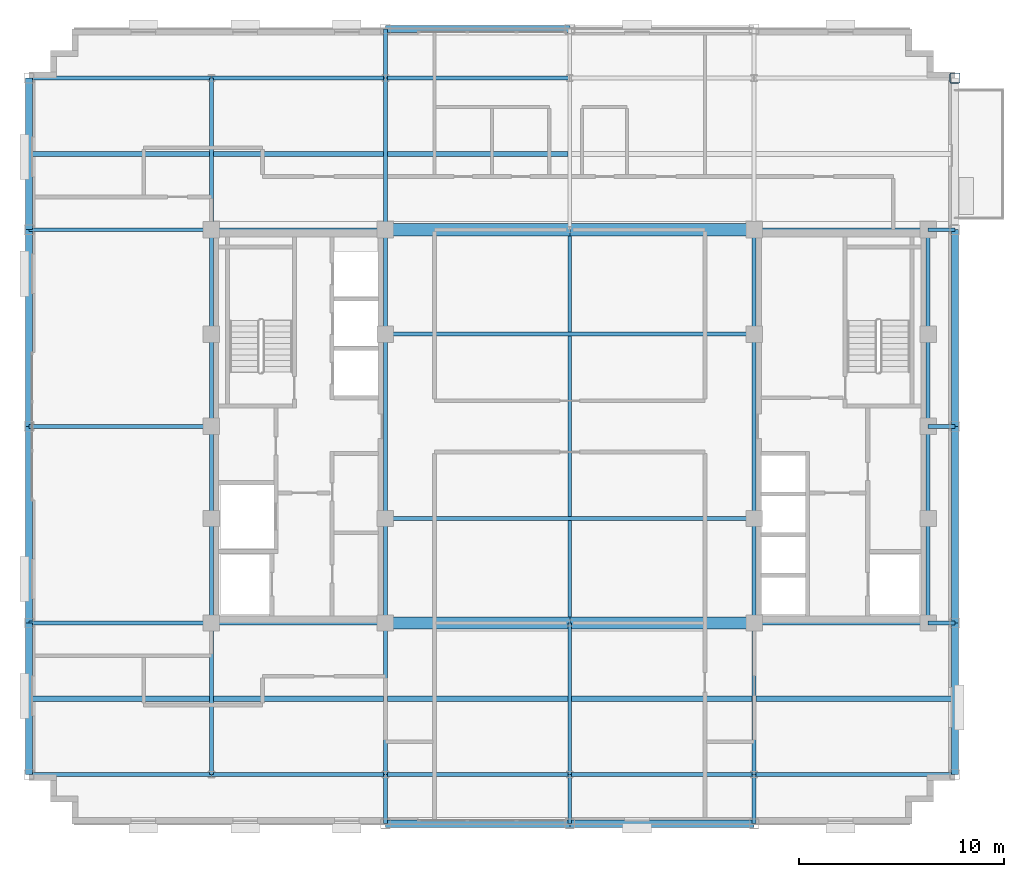
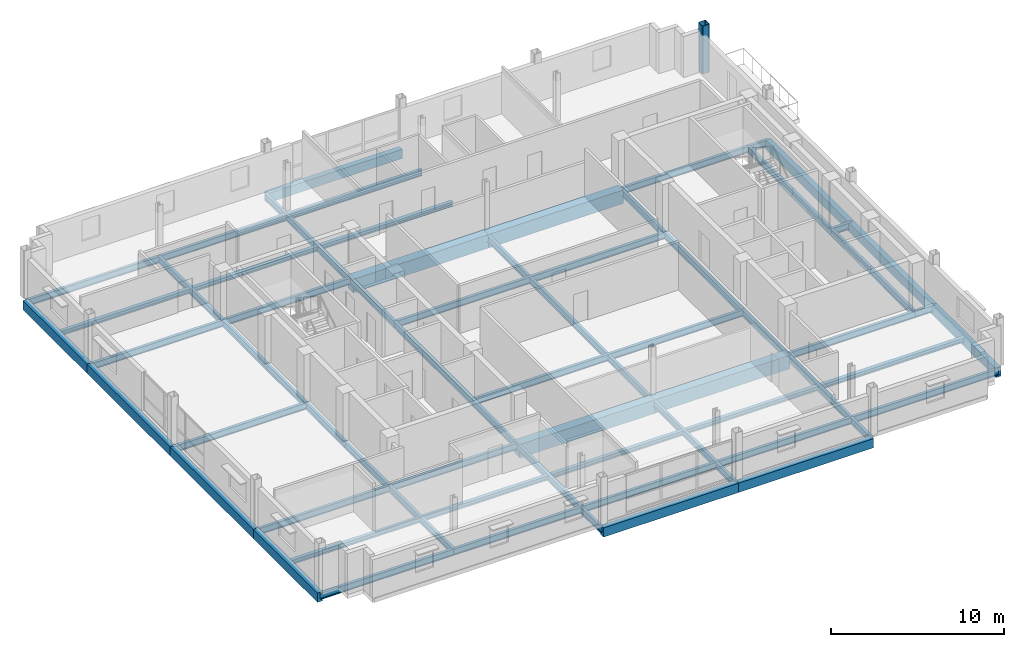
# One storey, part 4 of 16: 67 beams, 1 column.
"""IFC4 building model written with IfcOpenShell, lengths in metres."""

from ifc_helpers import new_model, si_unit, direction, frame, origin, origin_2d, place, context, subcontext, project, spatial, rectangle, hollow_rectangle, i_section, extrude, material, material_profile, profile_set, type_object, element, save


model = new_model("IFC4")

# Units and contexts
model_context = context("Model", 3, precision=1e-05, world=origin(), true_north=direction((0.0, 1.0)))
body_context = subcontext(model_context, "Body", "Model", "MODEL_VIEW")
ifc_project = project(units=[si_unit("LENGTHUNIT", "METRE"), si_unit("AREAUNIT", "SQUARE_METRE"), si_unit("VOLUMEUNIT", "CUBIC_METRE"), si_unit("PLANEANGLEUNIT", "RADIAN"), si_unit("MASSUNIT", "GRAM", prefix="KILO")], contexts=[model_context])

# Site, building, storey
site_placement = place(None, origin())
site = spatial("IfcSite", under=ifc_project, at=site_placement, CompositionType="ELEMENT")
building_placement = place(site_placement, origin())
building = spatial("IfcBuilding", under=site, at=building_placement, Name="Nuvemarco Arch Tower", CompositionType="ELEMENT")
storey_placement = place(building_placement, frame((0.0, 0.0, 227.39990234375)))
storey = spatial("IfcBuildingStorey", under=building, at=storey_placement, Name="L60", CompositionType="ELEMENT", Elevation=227.39990234375)

# Column
ifc_material_1 = material(Name="Steel S355", Category="steel")
ifc_material_profile_1 = material_profile(ifc_material_1, hollow_rectangle(XDim=0.5, YDim=0.5, WallThickness=0.031982421875, InnerFilletRadius=0.031982421875, OuterFilletRadius=0.06396484375, at=origin_2d()), Name="SHS500x500x32")
ifc_profile_set_1 = profile_set([ifc_material_profile_1], Name="Steel S355")
column_type = type_object("IfcColumnType", Name="COL-EXO-500", PredefinedType="COLUMN", material=ifc_profile_set_1)
column_placement = place(storey_placement, frame((18.800048828125, 17.0, 0.0), z_axis=(0.0, 0.0, 1.0), x_axis=(1.0, 0.0, 0.0)))
element("IfcColumn", 1, at=column_placement, inside=storey, type_object=column_type, Name="L60 column CX_+18.8_+17.0", PredefinedType="COLUMN", context=body_context, shape_type="SweptSolid", body=[
    extrude(hollow_rectangle(XDim=0.5, YDim=0.5, WallThickness=0.031982421875, InnerFilletRadius=0.031982421875, OuterFilletRadius=0.06396484375, at=origin_2d()), origin(), (0.0, 0.0, 1.0), 3.3701171875),
])

# Beams
ifc_material_2 = material(Name="Concrete C60/75", Category="concrete")
ifc_material_profile_2 = material_profile(ifc_material_2, rectangle(XDim=0.60009765625, YDim=0.949951171875, at=origin_2d()), Name="RC-BM-600x950")
ifc_profile_set_2 = profile_set([ifc_material_profile_2], Name="Concrete C60/75")
beam_type_1 = type_object("IfcBeamType", Name="BM-COUP-RC", PredefinedType="LINTEL", material=ifc_profile_set_2)
for number, where, z_axis, x_axis, name in (
    (2, (-9.0, -9.60009765625, -0.7548828125), (1.0, 0.0, 0.0), (0.0, 1.0, 0.0), "L60 structural beam BGEW_L60_0_-9.6_-9.0"),
    (3, (0.0, -9.60009765625, -0.7548828125), (1.0, 0.0, 0.0), (0.0, 1.0, 0.0), "L60 structural beam BGEW_L60_0_-9.6_+0.0"),
    (4, (-9.0, 9.60009765625, -0.7548828125), (1.0, 0.0, 0.0), (0.0, 1.0, 0.0), "L60 structural beam BGEW_L60_0_+9.6_-9.0"),
    (5, (0.0, 9.60009765625, -0.7548828125), (1.0, 0.0, 0.0), (0.0, 1.0, 0.0), "L60 structural beam BGEW_L60_0_+9.6_+0.0"),
):
    element("IfcBeam", number, at=place(storey_placement, frame(where, z_axis=z_axis, x_axis=x_axis)), inside=storey, type_object=beam_type_1, Name=name, PredefinedType="LINTEL", context=body_context, shape_type="SweptSolid", body=[
        extrude(rectangle(XDim=0.60009765625, YDim=0.949951171875, at=origin_2d()), origin(), (0.0, 0.0, 1.0), 9.0),
    ])
ifc_material_profile_3 = material_profile(ifc_material_1, i_section(OverallWidth=0.19189453125, OverallDepth=0.462890625, WebThickness=0.010498046875, FlangeThickness=0.017578125, FilletRadius=0.014892578125, at=origin_2d()), Name="W460x89")
ifc_profile_set_3 = profile_set([ifc_material_profile_3], Name="Steel S355")
beam_type_2 = type_object("IfcBeamType", Name="BM-GIRD-460", PredefinedType="BEAM", material=ifc_profile_set_3)
beam_1_placement = place(storey_placement, frame((-17.5, -17.0, -0.511474609375), z_axis=(0.0, 1.0, 0.0), x_axis=(-1.0, 0.0, 0.0)))
element("IfcBeam", 6, at=beam_1_placement, inside=storey, type_object=beam_type_2, Name="L60 structural beam BGNS_L60_0_-17.5_-17.0", PredefinedType="BEAM", context=body_context, shape_type="SweptSolid", body=[
    extrude(i_section(OverallWidth=0.19189453125, OverallDepth=0.462890625, WebThickness=0.010498046875, FlangeThickness=0.017578125, FilletRadius=0.014892578125, at=origin_2d()), origin(), (0.0, 0.0, 1.0), 7.39990234375),
])
beam_2_placement = place(storey_placement, frame((-17.5, -9.60009765625, -0.511474609375), z_axis=(0.0, 1.0, 0.0), x_axis=(-1.0, 0.0, 0.0)))
element("IfcBeam", 7, at=beam_2_placement, inside=storey, type_object=beam_type_2, Name="L60 structural beam BGNS_L60_0_-17.5_-9.6", PredefinedType="BEAM", context=body_context, shape_type="SweptSolid", body=[
    extrude(i_section(OverallWidth=0.19189453125, OverallDepth=0.462890625, WebThickness=0.010498046875, FlangeThickness=0.017578125, FilletRadius=0.014892578125, at=origin_2d()), origin(), (0.0, 0.0, 1.0), 5.10009765625),
])
for number, where, z_axis, x_axis, name in (
    (8, (-17.5, -4.5, -0.511474609375), (0.0, 1.0, 0.0), (-1.0, 0.0, 0.0), "L60 structural beam BGNS_L60_0_-17.5_-4.5"),
    (9, (-17.5, 0.0, -0.511474609375), (0.0, 1.0, 0.0), (-1.0, 0.0, 0.0), "L60 structural beam BGNS_L60_0_-17.5_+0.0"),
):
    element("IfcBeam", number, at=place(storey_placement, frame(where, z_axis=z_axis, x_axis=x_axis)), inside=storey, type_object=beam_type_2, Name=name, PredefinedType="BEAM", context=body_context, shape_type="SweptSolid", body=[
        extrude(i_section(OverallWidth=0.19189453125, OverallDepth=0.462890625, WebThickness=0.010498046875, FlangeThickness=0.017578125, FilletRadius=0.014892578125, at=origin_2d()), origin(), (0.0, 0.0, 1.0), 4.5),
    ])
beam_3_placement = place(storey_placement, frame((-17.5, 4.5, -0.511474609375), z_axis=(0.0, 1.0, 0.0), x_axis=(-1.0, 0.0, 0.0)))
element("IfcBeam", 10, at=beam_3_placement, inside=storey, type_object=beam_type_2, Name="L60 structural beam BGNS_L60_0_-17.5_+4.5", PredefinedType="BEAM", context=body_context, shape_type="SweptSolid", body=[
    extrude(i_section(OverallWidth=0.19189453125, OverallDepth=0.462890625, WebThickness=0.010498046875, FlangeThickness=0.017578125, FilletRadius=0.014892578125, at=origin_2d()), origin(), (0.0, 0.0, 1.0), 5.10009765625),
])
beam_4_placement = place(storey_placement, frame((-17.5, 9.60009765625, -0.511474609375), z_axis=(0.0, 1.0, 0.0), x_axis=(-1.0, 0.0, 0.0)))
element("IfcBeam", 11, at=beam_4_placement, inside=storey, type_object=beam_type_2, Name="L60 structural beam BGNS_L60_0_-17.5_+9.6", PredefinedType="BEAM", context=body_context, shape_type="SweptSolid", body=[
    extrude(i_section(OverallWidth=0.19189453125, OverallDepth=0.462890625, WebThickness=0.010498046875, FlangeThickness=0.017578125, FilletRadius=0.014892578125, at=origin_2d()), origin(), (0.0, 0.0, 1.0), 7.39990234375),
])
beam_5_placement = place(storey_placement, frame((-9.0, -19.39990234375, -0.511474609375), z_axis=(0.0, 1.0, 0.0), x_axis=(-1.0, 0.0, 0.0)))
element("IfcBeam", 12, at=beam_5_placement, inside=storey, type_object=beam_type_2, Name="L60 structural beam BGNS_L60_0_-9.0_-19.4", PredefinedType="BEAM", context=body_context, shape_type="SweptSolid", body=[
    extrude(i_section(OverallWidth=0.19189453125, OverallDepth=0.462890625, WebThickness=0.010498046875, FlangeThickness=0.017578125, FilletRadius=0.014892578125, at=origin_2d()), origin(), (0.0, 0.0, 1.0), 2.39990234375),
])
beam_6_placement = place(storey_placement, frame((-9.0, -17.0, -0.511474609375), z_axis=(0.0, 1.0, 0.0), x_axis=(-1.0, 0.0, 0.0)))
element("IfcBeam", 13, at=beam_6_placement, inside=storey, type_object=beam_type_2, Name="L60 structural beam BGNS_L60_0_-9.0_-17.0", PredefinedType="BEAM", context=body_context, shape_type="SweptSolid", body=[
    extrude(i_section(OverallWidth=0.19189453125, OverallDepth=0.462890625, WebThickness=0.010498046875, FlangeThickness=0.017578125, FilletRadius=0.014892578125, at=origin_2d()), origin(), (0.0, 0.0, 1.0), 7.39990234375),
])
beam_7_placement = place(storey_placement, frame((-9.0, -9.60009765625, -0.511474609375), z_axis=(0.0, 1.0, 0.0), x_axis=(-1.0, 0.0, 0.0)))
element("IfcBeam", 14, at=beam_7_placement, inside=storey, type_object=beam_type_2, Name="L60 structural beam BGNS_L60_0_-9.0_-9.6", PredefinedType="BEAM", context=body_context, shape_type="SweptSolid", body=[
    extrude(i_section(OverallWidth=0.19189453125, OverallDepth=0.462890625, WebThickness=0.010498046875, FlangeThickness=0.017578125, FilletRadius=0.014892578125, at=origin_2d()), origin(), (0.0, 0.0, 1.0), 5.10009765625),
])
beam_8_placement = place(storey_placement, frame((-9.0, -4.5, -0.511474609375), z_axis=(0.0, 1.0, 0.0), x_axis=(-1.0, 0.0, 0.0)))
element("IfcBeam", 15, at=beam_8_placement, inside=storey, type_object=beam_type_2, Name="L60 structural beam BGNS_L60_0_-9.0_-4.5", PredefinedType="BEAM", context=body_context, shape_type="SweptSolid", body=[
    extrude(i_section(OverallWidth=0.19189453125, OverallDepth=0.462890625, WebThickness=0.010498046875, FlangeThickness=0.017578125, FilletRadius=0.014892578125, at=origin_2d()), origin(), (0.0, 0.0, 1.0), 9.0),
])
beam_9_placement = place(storey_placement, frame((-9.0, 4.5, -0.511474609375), z_axis=(0.0, 1.0, 0.0), x_axis=(-1.0, 0.0, 0.0)))
element("IfcBeam", 16, at=beam_9_placement, inside=storey, type_object=beam_type_2, Name="L60 structural beam BGNS_L60_0_-9.0_+4.5", PredefinedType="BEAM", context=body_context, shape_type="SweptSolid", body=[
    extrude(i_section(OverallWidth=0.19189453125, OverallDepth=0.462890625, WebThickness=0.010498046875, FlangeThickness=0.017578125, FilletRadius=0.014892578125, at=origin_2d()), origin(), (0.0, 0.0, 1.0), 5.10009765625),
])
beam_10_placement = place(storey_placement, frame((-9.0, 9.60009765625, -0.511474609375), z_axis=(0.0, 1.0, 0.0), x_axis=(-1.0, 0.0, 0.0)))
element("IfcBeam", 17, at=beam_10_placement, inside=storey, type_object=beam_type_2, Name="L60 structural beam BGNS_L60_0_-9.0_+9.6", PredefinedType="BEAM", context=body_context, shape_type="SweptSolid", body=[
    extrude(i_section(OverallWidth=0.19189453125, OverallDepth=0.462890625, WebThickness=0.010498046875, FlangeThickness=0.017578125, FilletRadius=0.014892578125, at=origin_2d()), origin(), (0.0, 0.0, 1.0), 7.39990234375),
])
for number, where, z_axis, x_axis, name in (
    (18, (-9.0, 17.0, -0.511474609375), (0.0, 1.0, 0.0), (-1.0, 0.0, 0.0), "L60 structural beam BGNS_L60_0_-9.0_+17.0"),
    (19, (0.0, -19.39990234375, -0.511474609375), (0.0, 1.0, 0.0), (-1.0, 0.0, 0.0), "L60 structural beam BGNS_L60_0_+0.0_-19.4"),
):
    element("IfcBeam", number, at=place(storey_placement, frame(where, z_axis=z_axis, x_axis=x_axis)), inside=storey, type_object=beam_type_2, Name=name, PredefinedType="BEAM", context=body_context, shape_type="SweptSolid", body=[
        extrude(i_section(OverallWidth=0.19189453125, OverallDepth=0.462890625, WebThickness=0.010498046875, FlangeThickness=0.017578125, FilletRadius=0.014892578125, at=origin_2d()), origin(), (0.0, 0.0, 1.0), 2.39990234375),
    ])
beam_11_placement = place(storey_placement, frame((0.0, -17.0, -0.511474609375), z_axis=(0.0, 1.0, 0.0), x_axis=(-1.0, 0.0, 0.0)))
element("IfcBeam", 20, at=beam_11_placement, inside=storey, type_object=beam_type_2, Name="L60 structural beam BGNS_L60_0_+0.0_-17.0", PredefinedType="BEAM", context=body_context, shape_type="SweptSolid", body=[
    extrude(i_section(OverallWidth=0.19189453125, OverallDepth=0.462890625, WebThickness=0.010498046875, FlangeThickness=0.017578125, FilletRadius=0.014892578125, at=origin_2d()), origin(), (0.0, 0.0, 1.0), 7.39990234375),
])
beam_12_placement = place(storey_placement, frame((0.0, -9.60009765625, -0.511474609375), z_axis=(0.0, 1.0, 0.0), x_axis=(-1.0, 0.0, 0.0)))
element("IfcBeam", 21, at=beam_12_placement, inside=storey, type_object=beam_type_2, Name="L60 structural beam BGNS_L60_0_+0.0_-9.6", PredefinedType="BEAM", context=body_context, shape_type="SweptSolid", body=[
    extrude(i_section(OverallWidth=0.19189453125, OverallDepth=0.462890625, WebThickness=0.010498046875, FlangeThickness=0.017578125, FilletRadius=0.014892578125, at=origin_2d()), origin(), (0.0, 0.0, 1.0), 19.2001953125),
])
beam_13_placement = place(storey_placement, frame((9.0, -19.39990234375, -0.511474609375), z_axis=(0.0, 1.0, 0.0), x_axis=(-1.0, 0.0, 0.0)))
element("IfcBeam", 22, at=beam_13_placement, inside=storey, type_object=beam_type_2, Name="L60 structural beam BGNS_L60_0_+9.0_-19.4", PredefinedType="BEAM", context=body_context, shape_type="SweptSolid", body=[
    extrude(i_section(OverallWidth=0.19189453125, OverallDepth=0.462890625, WebThickness=0.010498046875, FlangeThickness=0.017578125, FilletRadius=0.014892578125, at=origin_2d()), origin(), (0.0, 0.0, 1.0), 2.39990234375),
])
beam_14_placement = place(storey_placement, frame((9.0, -17.0, -0.511474609375), z_axis=(0.0, 1.0, 0.0), x_axis=(-1.0, 0.0, 0.0)))
element("IfcBeam", 23, at=beam_14_placement, inside=storey, type_object=beam_type_2, Name="L60 structural beam BGNS_L60_0_+9.0_-17.0", PredefinedType="BEAM", context=body_context, shape_type="SweptSolid", body=[
    extrude(i_section(OverallWidth=0.19189453125, OverallDepth=0.462890625, WebThickness=0.010498046875, FlangeThickness=0.017578125, FilletRadius=0.014892578125, at=origin_2d()), origin(), (0.0, 0.0, 1.0), 7.39990234375),
])
beam_15_placement = place(storey_placement, frame((9.0, -9.60009765625, -0.511474609375), z_axis=(0.0, 1.0, 0.0), x_axis=(-1.0, 0.0, 0.0)))
element("IfcBeam", 24, at=beam_15_placement, inside=storey, type_object=beam_type_2, Name="L60 structural beam BGNS_L60_0_+9.0_-9.6", PredefinedType="BEAM", context=body_context, shape_type="SweptSolid", body=[
    extrude(i_section(OverallWidth=0.19189453125, OverallDepth=0.462890625, WebThickness=0.010498046875, FlangeThickness=0.017578125, FilletRadius=0.014892578125, at=origin_2d()), origin(), (0.0, 0.0, 1.0), 5.10009765625),
])
beam_16_placement = place(storey_placement, frame((9.0, -4.5, -0.511474609375), z_axis=(0.0, 1.0, 0.0), x_axis=(-1.0, 0.0, 0.0)))
element("IfcBeam", 25, at=beam_16_placement, inside=storey, type_object=beam_type_2, Name="L60 structural beam BGNS_L60_0_+9.0_-4.5", PredefinedType="BEAM", context=body_context, shape_type="SweptSolid", body=[
    extrude(i_section(OverallWidth=0.19189453125, OverallDepth=0.462890625, WebThickness=0.010498046875, FlangeThickness=0.017578125, FilletRadius=0.014892578125, at=origin_2d()), origin(), (0.0, 0.0, 1.0), 9.0),
])
for number, where, z_axis, x_axis, name in (
    (26, (9.0, 4.5, -0.511474609375), (0.0, 1.0, 0.0), (-1.0, 0.0, 0.0), "L60 structural beam BGNS_L60_0_+9.0_+4.5"),
    (27, (17.5, -9.60009765625, -0.511474609375), (0.0, 1.0, 0.0), (-1.0, 0.0, 0.0), "L60 structural beam BGNS_L60_0_+17.5_-9.6"),
):
    element("IfcBeam", number, at=place(storey_placement, frame(where, z_axis=z_axis, x_axis=x_axis)), inside=storey, type_object=beam_type_2, Name=name, PredefinedType="BEAM", context=body_context, shape_type="SweptSolid", body=[
        extrude(i_section(OverallWidth=0.19189453125, OverallDepth=0.462890625, WebThickness=0.010498046875, FlangeThickness=0.017578125, FilletRadius=0.014892578125, at=origin_2d()), origin(), (0.0, 0.0, 1.0), 5.10009765625),
    ])
for number, where, z_axis, x_axis, name in (
    (28, (17.5, -4.5, -0.511474609375), (0.0, 1.0, 0.0), (-1.0, 0.0, 0.0), "L60 structural beam BGNS_L60_0_+17.5_-4.5"),
    (29, (17.5, 0.0, -0.511474609375), (0.0, 1.0, 0.0), (-1.0, 0.0, 0.0), "L60 structural beam BGNS_L60_0_+17.5_+0.0"),
):
    element("IfcBeam", number, at=place(storey_placement, frame(where, z_axis=z_axis, x_axis=x_axis)), inside=storey, type_object=beam_type_2, Name=name, PredefinedType="BEAM", context=body_context, shape_type="SweptSolid", body=[
        extrude(i_section(OverallWidth=0.19189453125, OverallDepth=0.462890625, WebThickness=0.010498046875, FlangeThickness=0.017578125, FilletRadius=0.014892578125, at=origin_2d()), origin(), (0.0, 0.0, 1.0), 4.5),
    ])
beam_17_placement = place(storey_placement, frame((17.5, 4.5, -0.511474609375), z_axis=(0.0, 1.0, 0.0), x_axis=(-1.0, 0.0, 0.0)))
element("IfcBeam", 30, at=beam_17_placement, inside=storey, type_object=beam_type_2, Name="L60 structural beam BGNS_L60_0_+17.5_+4.5", PredefinedType="BEAM", context=body_context, shape_type="SweptSolid", body=[
    extrude(i_section(OverallWidth=0.19189453125, OverallDepth=0.462890625, WebThickness=0.010498046875, FlangeThickness=0.017578125, FilletRadius=0.014892578125, at=origin_2d()), origin(), (0.0, 0.0, 1.0), 5.10009765625),
])
beam_18_placement = place(storey_placement, frame((-26.39990234375, -17.0, -0.511474609375), z_axis=(1.0, 0.0, 0.0), x_axis=(0.0, 1.0, 0.0)))
element("IfcBeam", 31, at=beam_18_placement, inside=storey, type_object=beam_type_2, Name="L60 structural beam BGEW_L60_0_-17.0_-26.4", PredefinedType="BEAM", context=body_context, shape_type="SweptSolid", body=[
    extrude(i_section(OverallWidth=0.19189453125, OverallDepth=0.462890625, WebThickness=0.010498046875, FlangeThickness=0.017578125, FilletRadius=0.014892578125, at=origin_2d()), origin(), (0.0, 0.0, 1.0), 8.89990234375),
])
beam_19_placement = place(storey_placement, frame((-17.5, -17.0, -0.511474609375), z_axis=(1.0, 0.0, 0.0), x_axis=(0.0, 1.0, 0.0)))
element("IfcBeam", 32, at=beam_19_placement, inside=storey, type_object=beam_type_2, Name="L60 structural beam BGEW_L60_0_-17.0_-17.5", PredefinedType="BEAM", context=body_context, shape_type="SweptSolid", body=[
    extrude(i_section(OverallWidth=0.19189453125, OverallDepth=0.462890625, WebThickness=0.010498046875, FlangeThickness=0.017578125, FilletRadius=0.014892578125, at=origin_2d()), origin(), (0.0, 0.0, 1.0), 8.5),
])
for number, where, z_axis, x_axis, name in (
    (33, (-9.0, -17.0, -0.511474609375), (1.0, 0.0, 0.0), (0.0, 1.0, 0.0), "L60 structural beam BGEW_L60_0_-17.0_-9.0"),
    (34, (0.0, -17.0, -0.511474609375), (1.0, 0.0, 0.0), (0.0, 1.0, 0.0), "L60 structural beam BGEW_L60_0_-17.0_+0.0"),
):
    element("IfcBeam", number, at=place(storey_placement, frame(where, z_axis=z_axis, x_axis=x_axis)), inside=storey, type_object=beam_type_2, Name=name, PredefinedType="BEAM", context=body_context, shape_type="SweptSolid", body=[
        extrude(i_section(OverallWidth=0.19189453125, OverallDepth=0.462890625, WebThickness=0.010498046875, FlangeThickness=0.017578125, FilletRadius=0.014892578125, at=origin_2d()), origin(), (0.0, 0.0, 1.0), 9.0),
    ])
beam_20_placement = place(storey_placement, frame((9.0, -17.0, -0.511474609375), z_axis=(1.0, 0.0, 0.0), x_axis=(0.0, 1.0, 0.0)))
element("IfcBeam", 35, at=beam_20_placement, inside=storey, type_object=beam_type_2, Name="L60 structural beam BGEW_L60_0_-17.0_+9.0", PredefinedType="BEAM", context=body_context, shape_type="SweptSolid", body=[
    extrude(i_section(OverallWidth=0.19189453125, OverallDepth=0.462890625, WebThickness=0.010498046875, FlangeThickness=0.017578125, FilletRadius=0.014892578125, at=origin_2d()), origin(), (0.0, 0.0, 1.0), 9.800048828125),
])
beam_21_placement = place(storey_placement, frame((-26.39990234375, -9.60009765625, -0.511474609375), z_axis=(1.0, 0.0, 0.0), x_axis=(0.0, 1.0, 0.0)))
element("IfcBeam", 36, at=beam_21_placement, inside=storey, type_object=beam_type_2, Name="L60 structural beam BGEW_L60_0_-9.6_-26.4", PredefinedType="BEAM", context=body_context, shape_type="SweptSolid", body=[
    extrude(i_section(OverallWidth=0.19189453125, OverallDepth=0.462890625, WebThickness=0.010498046875, FlangeThickness=0.017578125, FilletRadius=0.014892578125, at=origin_2d()), origin(), (0.0, 0.0, 1.0), 8.89990234375),
])
for number, where, z_axis, x_axis, name in (
    (37, (-17.5, -9.60009765625, -0.511474609375), (1.0, 0.0, 0.0), (0.0, 1.0, 0.0), "L60 structural beam BGEW_L60_0_-9.6_-17.5"),
    (38, (9.0, -9.60009765625, -0.511474609375), (1.0, 0.0, 0.0), (0.0, 1.0, 0.0), "L60 structural beam BGEW_L60_0_-9.6_+9.0"),
):
    element("IfcBeam", number, at=place(storey_placement, frame(where, z_axis=z_axis, x_axis=x_axis)), inside=storey, type_object=beam_type_2, Name=name, PredefinedType="BEAM", context=body_context, shape_type="SweptSolid", body=[
        extrude(i_section(OverallWidth=0.19189453125, OverallDepth=0.462890625, WebThickness=0.010498046875, FlangeThickness=0.017578125, FilletRadius=0.014892578125, at=origin_2d()), origin(), (0.0, 0.0, 1.0), 8.5),
    ])
beam_22_placement = place(storey_placement, frame((17.5, -9.60009765625, -0.511474609375), z_axis=(1.0, 0.0, 0.0), x_axis=(0.0, 1.0, 0.0)))
element("IfcBeam", 39, at=beam_22_placement, inside=storey, type_object=beam_type_2, Name="L60 structural beam BGEW_L60_0_-9.6_+17.5", PredefinedType="BEAM", context=body_context, shape_type="SweptSolid", body=[
    extrude(i_section(OverallWidth=0.19189453125, OverallDepth=0.462890625, WebThickness=0.010498046875, FlangeThickness=0.017578125, FilletRadius=0.014892578125, at=origin_2d()), origin(), (0.0, 0.0, 1.0), 1.300048828125),
])
beam_23_placement = place(storey_placement, frame((-9.0, -4.5, -0.511474609375), z_axis=(1.0, 0.0, 0.0), x_axis=(0.0, 1.0, 0.0)))
element("IfcBeam", 40, at=beam_23_placement, inside=storey, type_object=beam_type_2, Name="L60 structural beam BGEW_L60_0_-4.5_-9.0", PredefinedType="BEAM", context=body_context, shape_type="SweptSolid", body=[
    extrude(i_section(OverallWidth=0.19189453125, OverallDepth=0.462890625, WebThickness=0.010498046875, FlangeThickness=0.017578125, FilletRadius=0.014892578125, at=origin_2d()), origin(), (0.0, 0.0, 1.0), 18.0),
])
beam_24_placement = place(storey_placement, frame((-26.39990234375, 0.0, -0.511474609375), z_axis=(1.0, 0.0, 0.0), x_axis=(0.0, 1.0, 0.0)))
element("IfcBeam", 41, at=beam_24_placement, inside=storey, type_object=beam_type_2, Name="L60 structural beam BGEW_L60_0_+0.0_-26.4", PredefinedType="BEAM", context=body_context, shape_type="SweptSolid", body=[
    extrude(i_section(OverallWidth=0.19189453125, OverallDepth=0.462890625, WebThickness=0.010498046875, FlangeThickness=0.017578125, FilletRadius=0.014892578125, at=origin_2d()), origin(), (0.0, 0.0, 1.0), 8.89990234375),
])
beam_25_placement = place(storey_placement, frame((17.5, 0.0, -0.511474609375), z_axis=(1.0, 0.0, 0.0), x_axis=(0.0, 1.0, 0.0)))
element("IfcBeam", 42, at=beam_25_placement, inside=storey, type_object=beam_type_2, Name="L60 structural beam BGEW_L60_0_+0.0_+17.5", PredefinedType="BEAM", context=body_context, shape_type="SweptSolid", body=[
    extrude(i_section(OverallWidth=0.19189453125, OverallDepth=0.462890625, WebThickness=0.010498046875, FlangeThickness=0.017578125, FilletRadius=0.014892578125, at=origin_2d()), origin(), (0.0, 0.0, 1.0), 1.300048828125),
])
beam_26_placement = place(storey_placement, frame((-9.0, 4.5, -0.511474609375), z_axis=(1.0, 0.0, 0.0), x_axis=(0.0, 1.0, 0.0)))
element("IfcBeam", 43, at=beam_26_placement, inside=storey, type_object=beam_type_2, Name="L60 structural beam BGEW_L60_0_+4.5_-9.0", PredefinedType="BEAM", context=body_context, shape_type="SweptSolid", body=[
    extrude(i_section(OverallWidth=0.19189453125, OverallDepth=0.462890625, WebThickness=0.010498046875, FlangeThickness=0.017578125, FilletRadius=0.014892578125, at=origin_2d()), origin(), (0.0, 0.0, 1.0), 18.0),
])
beam_27_placement = place(storey_placement, frame((-26.39990234375, 9.60009765625, -0.511474609375), z_axis=(1.0, 0.0, 0.0), x_axis=(0.0, 1.0, 0.0)))
element("IfcBeam", 44, at=beam_27_placement, inside=storey, type_object=beam_type_2, Name="L60 structural beam BGEW_L60_0_+9.6_-26.4", PredefinedType="BEAM", context=body_context, shape_type="SweptSolid", body=[
    extrude(i_section(OverallWidth=0.19189453125, OverallDepth=0.462890625, WebThickness=0.010498046875, FlangeThickness=0.017578125, FilletRadius=0.014892578125, at=origin_2d()), origin(), (0.0, 0.0, 1.0), 8.89990234375),
])
for number, where, z_axis, x_axis, name in (
    (45, (-17.5, 9.60009765625, -0.511474609375), (1.0, 0.0, 0.0), (0.0, 1.0, 0.0), "L60 structural beam BGEW_L60_0_+9.6_-17.5"),
    (46, (9.0, 9.60009765625, -0.511474609375), (1.0, 0.0, 0.0), (0.0, 1.0, 0.0), "L60 structural beam BGEW_L60_0_+9.6_+9.0"),
):
    element("IfcBeam", number, at=place(storey_placement, frame(where, z_axis=z_axis, x_axis=x_axis)), inside=storey, type_object=beam_type_2, Name=name, PredefinedType="BEAM", context=body_context, shape_type="SweptSolid", body=[
        extrude(i_section(OverallWidth=0.19189453125, OverallDepth=0.462890625, WebThickness=0.010498046875, FlangeThickness=0.017578125, FilletRadius=0.014892578125, at=origin_2d()), origin(), (0.0, 0.0, 1.0), 8.5),
    ])
beam_28_placement = place(storey_placement, frame((17.5, 9.60009765625, -0.511474609375), z_axis=(1.0, 0.0, 0.0), x_axis=(0.0, 1.0, 0.0)))
element("IfcBeam", 47, at=beam_28_placement, inside=storey, type_object=beam_type_2, Name="L60 structural beam BGEW_L60_0_+9.6_+17.5", PredefinedType="BEAM", context=body_context, shape_type="SweptSolid", body=[
    extrude(i_section(OverallWidth=0.19189453125, OverallDepth=0.462890625, WebThickness=0.010498046875, FlangeThickness=0.017578125, FilletRadius=0.014892578125, at=origin_2d()), origin(), (0.0, 0.0, 1.0), 1.300048828125),
])
beam_29_placement = place(storey_placement, frame((-26.39990234375, 17.0, -0.511474609375), z_axis=(1.0, 0.0, 0.0), x_axis=(0.0, 1.0, 0.0)))
element("IfcBeam", 48, at=beam_29_placement, inside=storey, type_object=beam_type_2, Name="L60 structural beam BGEW_L60_0_+17.0_-26.4", PredefinedType="BEAM", context=body_context, shape_type="SweptSolid", body=[
    extrude(i_section(OverallWidth=0.19189453125, OverallDepth=0.462890625, WebThickness=0.010498046875, FlangeThickness=0.017578125, FilletRadius=0.014892578125, at=origin_2d()), origin(), (0.0, 0.0, 1.0), 8.89990234375),
])
beam_30_placement = place(storey_placement, frame((-17.5, 17.0, -0.511474609375), z_axis=(1.0, 0.0, 0.0), x_axis=(0.0, 1.0, 0.0)))
element("IfcBeam", 49, at=beam_30_placement, inside=storey, type_object=beam_type_2, Name="L60 structural beam BGEW_L60_0_+17.0_-17.5", PredefinedType="BEAM", context=body_context, shape_type="SweptSolid", body=[
    extrude(i_section(OverallWidth=0.19189453125, OverallDepth=0.462890625, WebThickness=0.010498046875, FlangeThickness=0.017578125, FilletRadius=0.014892578125, at=origin_2d()), origin(), (0.0, 0.0, 1.0), 8.5),
])
beam_31_placement = place(storey_placement, frame((-9.0, 17.0, -0.511474609375), z_axis=(1.0, 0.0, 0.0), x_axis=(0.0, 1.0, 0.0)))
element("IfcBeam", 50, at=beam_31_placement, inside=storey, type_object=beam_type_2, Name="L60 structural beam BGEW_L60_0_+17.0_-9.0", PredefinedType="BEAM", context=body_context, shape_type="SweptSolid", body=[
    extrude(i_section(OverallWidth=0.19189453125, OverallDepth=0.462890625, WebThickness=0.010498046875, FlangeThickness=0.017578125, FilletRadius=0.014892578125, at=origin_2d()), origin(), (0.0, 0.0, 1.0), 9.0),
])
ifc_material_profile_4 = material_profile(ifc_material_1, i_section(OverallWidth=0.25390625, OverallDepth=0.305908203125, WebThickness=0.0087890625, FlangeThickness=0.0146484375, FilletRadius=0.014892578125, at=origin_2d()), Name="W310x79")
ifc_profile_set_4 = profile_set([ifc_material_profile_4], Name="Steel S355")
beam_type_3 = type_object("IfcBeamType", Name="BM-JOIST-310H", PredefinedType="JOIST", material=ifc_profile_set_4)
beam_32_placement = place(storey_placement, frame((-26.22509765625, -13.300048828125, -0.432861328125), z_axis=(1.0, 0.0, 0.0), x_axis=(0.0, 1.0, 0.0)))
element("IfcBeam", 51, at=beam_32_placement, inside=storey, type_object=beam_type_3, Name="L60 structural beam BJ_L60_0_-13.3_-26.4", PredefinedType="JOIST", context=body_context, shape_type="SweptSolid", body=[
    extrude(i_section(OverallWidth=0.25390625, OverallDepth=0.305908203125, WebThickness=0.0087890625, FlangeThickness=0.0146484375, FilletRadius=0.014892578125, at=origin_2d()), origin(), (0.0, 0.0, 1.0), 8.629150390625),
])
beam_33_placement = place(storey_placement, frame((-17.404052734375, -13.300048828125, -0.432861328125), z_axis=(1.0, 0.0, 0.0), x_axis=(0.0, 1.0, 0.0)))
element("IfcBeam", 52, at=beam_33_placement, inside=storey, type_object=beam_type_3, Name="L60 structural beam BJ_L60_0_-13.3_-17.5", PredefinedType="JOIST", context=body_context, shape_type="SweptSolid", body=[
    extrude(i_section(OverallWidth=0.25390625, OverallDepth=0.305908203125, WebThickness=0.0087890625, FlangeThickness=0.0146484375, FilletRadius=0.014892578125, at=origin_2d()), origin(), (0.0, 0.0, 1.0), 8.30810546875),
])
for number, where, z_axis, x_axis, name in (
    (53, (-8.904052734375, -13.300048828125, -0.432861328125), (1.0, 0.0, 0.0), (0.0, 1.0, 0.0), "L60 structural beam BJ_L60_0_-13.3_-9.0"),
    (54, (0.095947265625, -13.300048828125, -0.432861328125), (1.0, 0.0, 0.0), (0.0, 1.0, 0.0), "L60 structural beam BJ_L60_0_-13.3_+0.0"),
):
    element("IfcBeam", number, at=place(storey_placement, frame(where, z_axis=z_axis, x_axis=x_axis)), inside=storey, type_object=beam_type_3, Name=name, PredefinedType="JOIST", context=body_context, shape_type="SweptSolid", body=[
        extrude(i_section(OverallWidth=0.25390625, OverallDepth=0.305908203125, WebThickness=0.0087890625, FlangeThickness=0.0146484375, FilletRadius=0.014892578125, at=origin_2d()), origin(), (0.0, 0.0, 1.0), 8.80810546875),
    ])
beam_34_placement = place(storey_placement, frame((9.095947265625, -13.300048828125, -0.432861328125), z_axis=(1.0, 0.0, 0.0), x_axis=(0.0, 1.0, 0.0)))
element("IfcBeam", 55, at=beam_34_placement, inside=storey, type_object=beam_type_3, Name="L60 structural beam BJ_L60_0_-13.3_+9.0", PredefinedType="JOIST", context=body_context, shape_type="SweptSolid", body=[
    extrude(i_section(OverallWidth=0.25390625, OverallDepth=0.305908203125, WebThickness=0.0087890625, FlangeThickness=0.0146484375, FilletRadius=0.014892578125, at=origin_2d()), origin(), (0.0, 0.0, 1.0), 9.529052734375),
])
beam_35_placement = place(storey_placement, frame((-26.22509765625, 13.300048828125, -0.432861328125), z_axis=(1.0, 0.0, 0.0), x_axis=(0.0, 1.0, 0.0)))
element("IfcBeam", 56, at=beam_35_placement, inside=storey, type_object=beam_type_3, Name="L60 structural beam BJ_L60_0_+13.3_-26.4", PredefinedType="JOIST", context=body_context, shape_type="SweptSolid", body=[
    extrude(i_section(OverallWidth=0.25390625, OverallDepth=0.305908203125, WebThickness=0.0087890625, FlangeThickness=0.0146484375, FilletRadius=0.014892578125, at=origin_2d()), origin(), (0.0, 0.0, 1.0), 8.629150390625),
])
beam_36_placement = place(storey_placement, frame((-17.404052734375, 13.300048828125, -0.432861328125), z_axis=(1.0, 0.0, 0.0), x_axis=(0.0, 1.0, 0.0)))
element("IfcBeam", 57, at=beam_36_placement, inside=storey, type_object=beam_type_3, Name="L60 structural beam BJ_L60_0_+13.3_-17.5", PredefinedType="JOIST", context=body_context, shape_type="SweptSolid", body=[
    extrude(i_section(OverallWidth=0.25390625, OverallDepth=0.305908203125, WebThickness=0.0087890625, FlangeThickness=0.0146484375, FilletRadius=0.014892578125, at=origin_2d()), origin(), (0.0, 0.0, 1.0), 8.30810546875),
])
beam_37_placement = place(storey_placement, frame((-8.904052734375, 13.300048828125, -0.432861328125), z_axis=(1.0, 0.0, 0.0), x_axis=(0.0, 1.0, 0.0)))
element("IfcBeam", 58, at=beam_37_placement, inside=storey, type_object=beam_type_3, Name="L60 structural beam BJ_L60_0_+13.3_-9.0", PredefinedType="JOIST", context=body_context, shape_type="SweptSolid", body=[
    extrude(i_section(OverallWidth=0.25390625, OverallDepth=0.305908203125, WebThickness=0.0087890625, FlangeThickness=0.0146484375, FilletRadius=0.014892578125, at=origin_2d()), origin(), (0.0, 0.0, 1.0), 8.80810546875),
])
ifc_material_3 = material(Name="Precast concrete C45/55", Category="concrete")
ifc_material_profile_5 = material_profile(ifc_material_3, rectangle(XDim=0.35009765625, YDim=0.64990234375, at=origin_2d()), Name="PC-SP-350x650")
ifc_profile_set_5 = profile_set([ifc_material_profile_5], Name="Precast concrete C45/55")
beam_type_4 = type_object("IfcBeamType", Name="BM-SPAN-RC", PredefinedType="SPANDREL", material=ifc_profile_set_5)
beam_38_placement = place(storey_placement, frame((-26.39990234375, -17.0, -0.60498046875), z_axis=(0.0, 1.0, 0.0), x_axis=(-1.0, 0.0, 0.0)))
element("IfcBeam", 59, at=beam_38_placement, inside=storey, type_object=beam_type_4, Name="L60 structural beam BGNS_L60_0_-26.4_-17.0", PredefinedType="SPANDREL", context=body_context, shape_type="SweptSolid", body=[
    extrude(rectangle(XDim=0.35009765625, YDim=0.64990234375, at=origin_2d()), origin(), (0.0, 0.0, 1.0), 7.39990234375),
])
for number, where, z_axis, x_axis, name in (
    (60, (-26.39990234375, -9.60009765625, -0.60498046875), (0.0, 1.0, 0.0), (-1.0, 0.0, 0.0), "L60 structural beam BGNS_L60_0_-26.4_-9.6"),
    (61, (-26.39990234375, 0.0, -0.60498046875), (0.0, 1.0, 0.0), (-1.0, 0.0, 0.0), "L60 structural beam BGNS_L60_0_-26.4_+0.0"),
):
    element("IfcBeam", number, at=place(storey_placement, frame(where, z_axis=z_axis, x_axis=x_axis)), inside=storey, type_object=beam_type_4, Name=name, PredefinedType="SPANDREL", context=body_context, shape_type="SweptSolid", body=[
        extrude(rectangle(XDim=0.35009765625, YDim=0.64990234375, at=origin_2d()), origin(), (0.0, 0.0, 1.0), 9.60009765625),
    ])
for number, where, z_axis, x_axis, name in (
    (62, (-26.39990234375, 9.60009765625, -0.60498046875), (0.0, 1.0, 0.0), (-1.0, 0.0, 0.0), "L60 structural beam BGNS_L60_0_-26.4_+9.6"),
    (63, (18.800048828125, -17.0, -0.60498046875), (0.0, 1.0, 0.0), (-1.0, 0.0, 0.0), "L60 structural beam BGNS_L60_0_+18.8_-17.0"),
):
    element("IfcBeam", number, at=place(storey_placement, frame(where, z_axis=z_axis, x_axis=x_axis)), inside=storey, type_object=beam_type_4, Name=name, PredefinedType="SPANDREL", context=body_context, shape_type="SweptSolid", body=[
        extrude(rectangle(XDim=0.35009765625, YDim=0.64990234375, at=origin_2d()), origin(), (0.0, 0.0, 1.0), 7.39990234375),
    ])
for number, where, z_axis, x_axis, name in (
    (64, (18.800048828125, -9.60009765625, -0.60498046875), (0.0, 1.0, 0.0), (-1.0, 0.0, 0.0), "L60 structural beam BGNS_L60_0_+18.8_-9.6"),
    (65, (18.800048828125, 0.0, -0.60498046875), (0.0, 1.0, 0.0), (-1.0, 0.0, 0.0), "L60 structural beam BGNS_L60_0_+18.8_+0.0"),
):
    element("IfcBeam", number, at=place(storey_placement, frame(where, z_axis=z_axis, x_axis=x_axis)), inside=storey, type_object=beam_type_4, Name=name, PredefinedType="SPANDREL", context=body_context, shape_type="SweptSolid", body=[
        extrude(rectangle(XDim=0.35009765625, YDim=0.64990234375, at=origin_2d()), origin(), (0.0, 0.0, 1.0), 9.60009765625),
    ])
for number, where, z_axis, x_axis, name in (
    (66, (-9.0, -19.39990234375, -0.60498046875), (1.0, 0.0, 0.0), (0.0, 1.0, 0.0), "L60 structural beam BGEW_L60_0_-19.4_-9.0"),
    (67, (0.0, -19.39990234375, -0.60498046875), (1.0, 0.0, 0.0), (0.0, 1.0, 0.0), "L60 structural beam BGEW_L60_0_-19.4_+0.0"),
    (68, (-9.0, 19.39990234375, -0.60498046875), (1.0, 0.0, 0.0), (0.0, 1.0, 0.0), "L60 structural beam BGEW_L60_0_+19.4_-9.0"),
):
    element("IfcBeam", number, at=place(storey_placement, frame(where, z_axis=z_axis, x_axis=x_axis)), inside=storey, type_object=beam_type_4, Name=name, PredefinedType="SPANDREL", context=body_context, shape_type="SweptSolid", body=[
        extrude(rectangle(XDim=0.35009765625, YDim=0.64990234375, at=origin_2d()), origin(), (0.0, 0.0, 1.0), 9.0),
    ])

save(model, "model.ifc")
